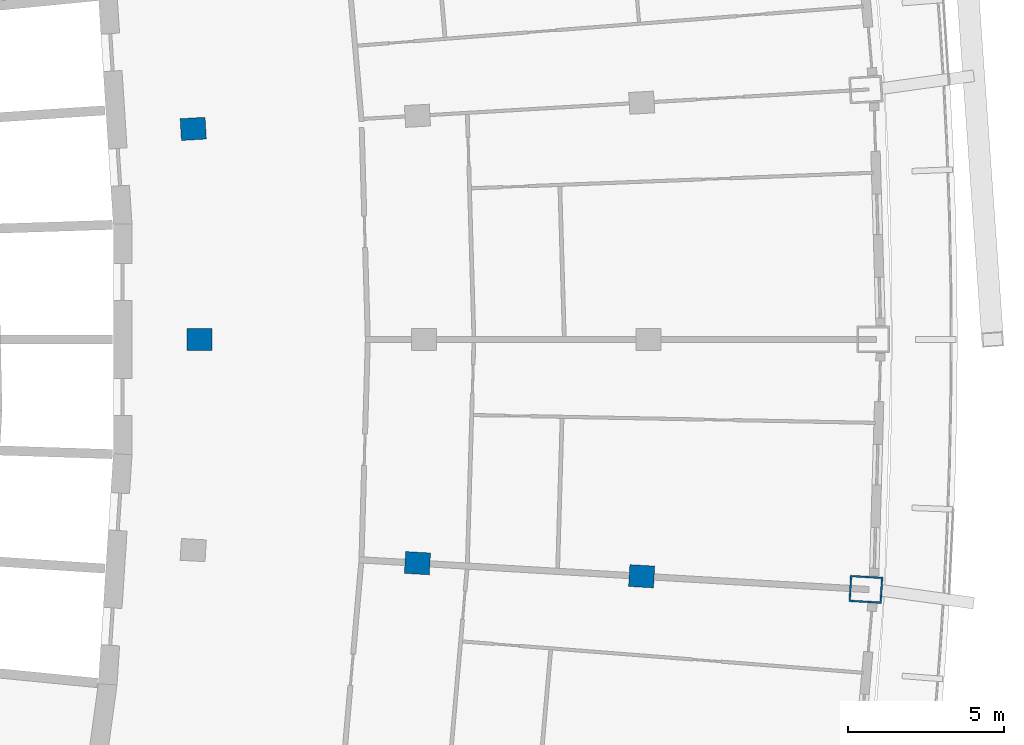
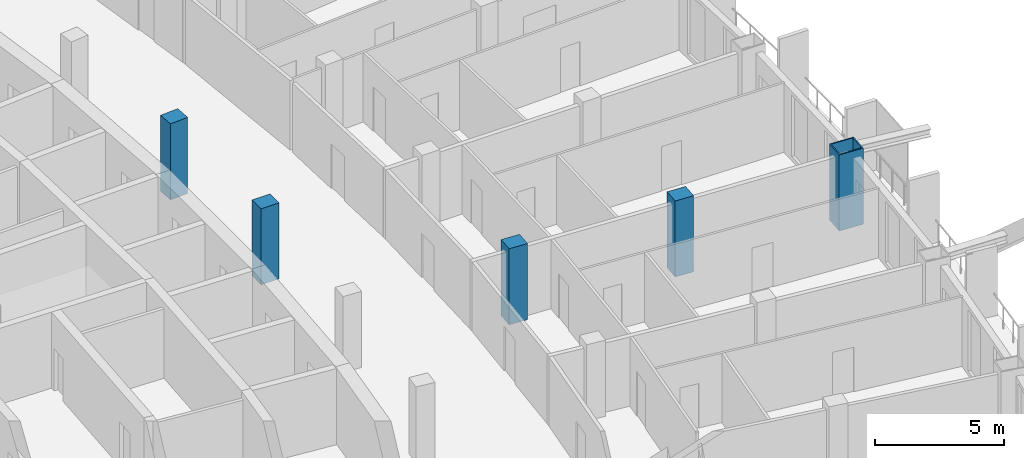
# One storey, part 4 of 19: 5 columns.
"""IFC4 building model written with IfcOpenShell, lengths in metres."""

from ifc_helpers import new_model, si_unit, direction, frame, origin, origin_2d, place, context, subcontext, project, spatial, rectangle, hollow_rectangle, extrude, material, material_profile, profile_set, type_object, element, save


model = new_model("IFC4")

# Units and contexts
model_context = context("Model", 3, precision=1e-05, world=origin(), true_north=direction((0.0, 1.0)))
body_context = subcontext(model_context, "Body", "Model", "MODEL_VIEW")
ifc_project = project(units=[si_unit("LENGTHUNIT", "METRE"), si_unit("AREAUNIT", "SQUARE_METRE"), si_unit("VOLUMEUNIT", "CUBIC_METRE"), si_unit("PLANEANGLEUNIT", "RADIAN"), si_unit("MASSUNIT", "GRAM", prefix="KILO")], contexts=[model_context])

# Site, building, storey
site_placement = place(None, origin())
site = spatial("IfcSite", under=ifc_project, at=site_placement, CompositionType="ELEMENT")
building_placement = place(site_placement, origin())
building = spatial("IfcBuilding", under=site, at=building_placement, Name="Alderwake Tower", CompositionType="ELEMENT")
storey_placement = place(building_placement, frame((0.0, 0.0, 221.60009765625)))
storey = spatial("IfcBuildingStorey", under=building, at=storey_placement, Name="L55", CompositionType="ELEMENT", Elevation=221.60009765625)

# Columns
ifc_material_1 = material(Name="Concrete C70/85", Category="concrete")
ifc_material_profile_1 = material_profile(ifc_material_1, rectangle(XDim=0.699951171875, YDim=0.800048828125, at=origin_2d()), Name="RC 800X700")
ifc_profile_set_1 = profile_set([ifc_material_profile_1], Name="Concrete C70/85")
column_type_1 = type_object("IfcColumnType", Name="Interior column Z4", PredefinedType="COLUMN", material=ifc_profile_set_1)
for number, where, z_axis, x_axis, name in (
    (1, (42.790771484375, 53.8291015625, 0.0), (0.0, 0.0, 1.0), (0.058299318924, 0.998299148258, 0.0), "Column R06-C3"),
    (2, (49.978515625, 53.4091796875, 0.0), (0.0, 0.0, 1.0), (0.058301061284, 0.998299046505, 0.0), "Column R06-C4"),
    (3, (35.800048828125, 61.0, 0.0), (0.0, 0.0, 1.0), (0.0, 1.0, 0.0), "Column R07-C2"),
    (4, (35.60302734375, 67.751220703125, 0.0), (0.0, 0.0, 1.0), (-0.058301061284, 0.998299046505, 0.0), "Column R08-C2"),
):
    element("IfcColumn", number, at=place(storey_placement, frame(where, z_axis=z_axis, x_axis=x_axis)), inside=storey, type_object=column_type_1, Name=name, PredefinedType="COLUMN", context=body_context, shape_type="SweptSolid", body=[
        extrude(rectangle(XDim=0.699951171875, YDim=0.800048828125, at=origin_2d()), origin(), (0.0, 0.0, 1.0), 3.599853515625),
    ])
ifc_material_2 = material(Name="Steel ASTM A572 Grade 50 concrete filled C70/85", Category="concrete")
ifc_material_profile_2 = material_profile(ifc_material_2, hollow_rectangle(XDim=0.85009765625, YDim=1.050048828125, WallThickness=0.054931640625, at=origin_2d()), Name="BOX 1050X850X55")
ifc_profile_set_2 = profile_set([ifc_material_profile_2], Name="Steel ASTM A572 Grade 50 concrete filled C70/85")
column_type_2 = type_object("IfcColumnType", Name="Perimeter column Z4", PredefinedType="COLUMN", material=ifc_profile_set_2)
column_placement = place(storey_placement, frame((57.166259765625, 52.989501953125, 0.0), z_axis=(0.0, 0.0, 1.0), x_axis=(0.058301061284, 0.998299046505, 0.0)))
element("IfcColumn", 5, at=column_placement, inside=storey, type_object=column_type_2, Name="Column R06-C5", PredefinedType="COLUMN", context=body_context, shape_type="SweptSolid", body=[
    extrude(hollow_rectangle(XDim=0.85009765625, YDim=1.050048828125, WallThickness=0.054931640625, at=origin_2d()), origin(), (0.0, 0.0, 1.0), 3.599853515625),
])

save(model, "model.ifc")
